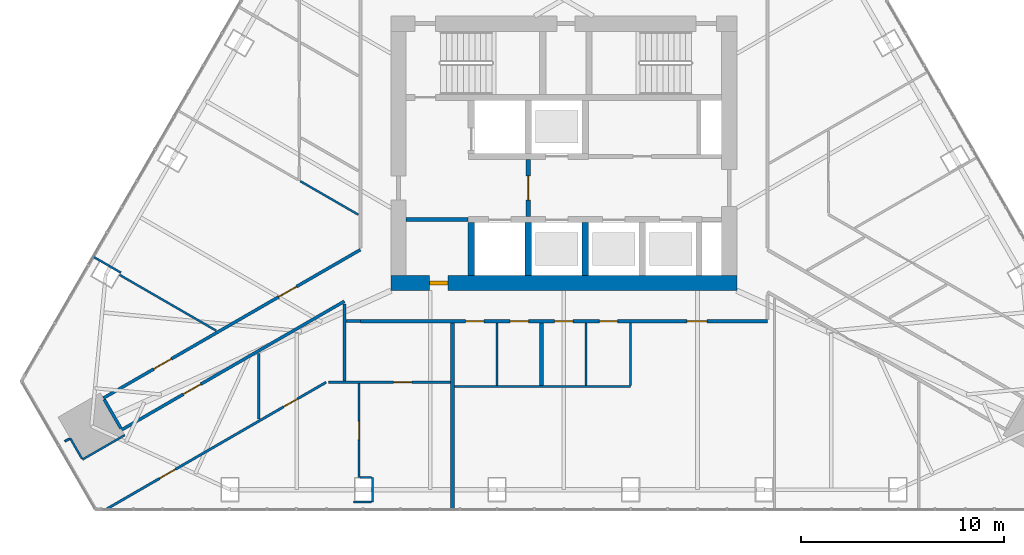
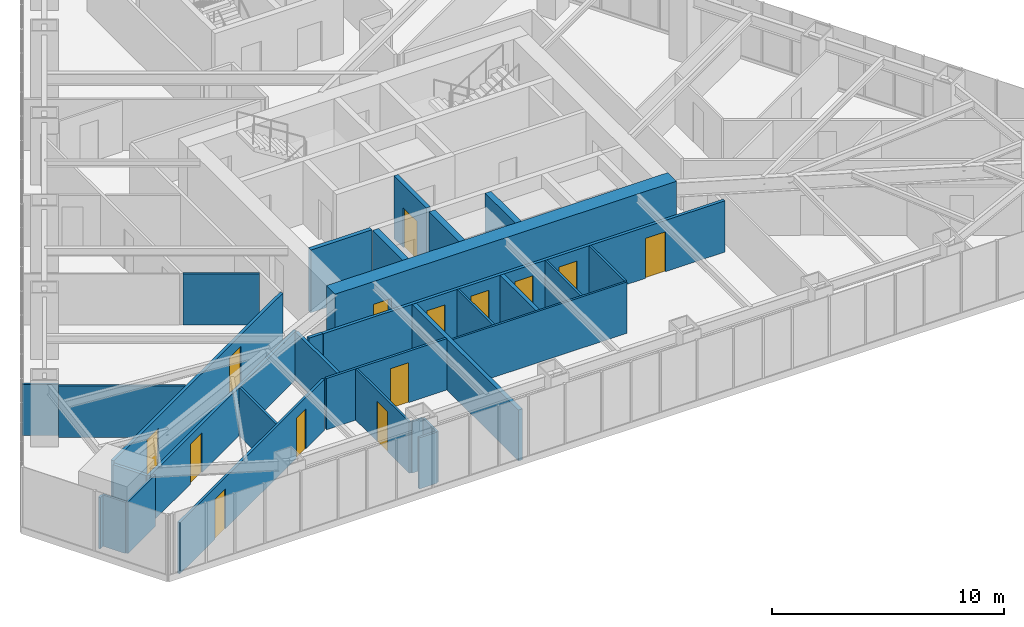
# One storey, part 16 of 21: 31 walls, 14 doors, 14 openings.
"""IFC4 building model written with IfcOpenShell, lengths in metres."""

from ifc_helpers import new_model, si_unit, direction, frame, frame_2d, origin, place, context, subcontext, project, spatial, rectangle, extrude, material, layer, layer_set, type_object, element, fill, save


model = new_model("IFC4")

# Units and contexts
model_context = context("Model", 3, precision=1e-05, world=origin(), true_north=direction((0.0, 1.0)))
body_context = subcontext(model_context, "Body", "Model", "MODEL_VIEW")
ifc_project = project(units=[si_unit("LENGTHUNIT", "METRE"), si_unit("AREAUNIT", "SQUARE_METRE"), si_unit("VOLUMEUNIT", "CUBIC_METRE"), si_unit("PLANEANGLEUNIT", "RADIAN"), si_unit("MASSUNIT", "GRAM", prefix="KILO")], contexts=[model_context])

# Site, building, storey
site_placement = place(None, origin())
site = spatial("IfcSite", under=ifc_project, at=site_placement, CompositionType="ELEMENT")
building_placement = place(site_placement, origin())
building = spatial("IfcBuilding", under=site, at=building_placement, Name="Firuza Gate Tower and Library", CompositionType="ELEMENT")
storey_placement = place(building_placement, frame((0.0, 0.0, 274.10009765625)))
storey = spatial("IfcBuildingStorey", under=building, at=storey_placement, Name="L65", CompositionType="ELEMENT", Elevation=274.10009765625)

# Wall
ifc_material_1 = material(Name="Plasterboard on steel studs", Category="steel")
ifc_layer_1 = layer(ifc_material_1, 0.199951171875)
ifc_layer_set_1 = layer_set([ifc_layer_1], Name="Core partition 200 EI 60")
wall_type_1 = type_object("IfcWallType", Name="Core partition 200 EI 60", PredefinedType="PARTITIONING", material=ifc_layer_set_1)
wall_1_placement = place(storey_placement, frame((67.25, 71.75, 0.0), z_axis=(0.0, 0.0, 1.0), x_axis=(1.0, 0.0, 0.0)))
element("IfcWall", 1, at=wall_1_placement, inside=storey, type_object=wall_type_1, Name="Core partition L65 1", PredefinedType="PARTITIONING", context=body_context, shape_type="SweptSolid", body=[
    extrude(rectangle(XDim=3.050048828125, YDim=0.199951171875, at=frame_2d((1.52490234375, 0.0))), origin(), (0.0, 0.0, 1.0), 3.2998046875),
])

# Wall, opening, door
wall_2_placement = place(storey_placement, frame((73.25, 71.89990234375, 0.0), z_axis=(0.0, 0.0, 1.0), x_axis=(0.0, 1.0, 0.0)))
wall_2 = element("IfcWall", 2, at=wall_2_placement, inside=storey, type_object=wall_type_1, Name="Core partition L65 4", PredefinedType="PARTITIONING", context=body_context, shape_type="SweptSolid", body=[
    extrude(rectangle(XDim=2.800048828125, YDim=0.199951171875, at=frame_2d((1.39990234375, 0.0))), origin(), (0.0, 0.0, 1.0), 3.2998046875),
])
opening_1_placement = place(wall_2_placement, frame((0.800048828125, 0.0, 0.0)))
opening_1 = element("IfcOpeningElement", 3, at=opening_1_placement, cuts=wall_2, Name="Opening L65-K14", PredefinedType="OPENING", context=body_context, shape_type="SweptSolid", body=[
    extrude(rectangle(XDim=1.199951171875, YDim=2.10009765625, at=frame_2d((0.60009765625, 1.050048828125))), frame((0.0, 0.10986328125, 0.0), z_axis=(0.0, -1.0, 0.0), x_axis=(1.0, 0.0, 0.0)), (0.0, 0.0, 1.0), 0.219970703125),
])
ifc_material_2 = material(Name="Steel", Category="steel")
door_type_1 = type_object("IfcDoorType", Name="Fire door 1200x2100 FD90S", OperationType="NOTDEFINED", PredefinedType="DOOR", material=ifc_material_2)
door_1_placement = place(opening_1_placement, origin())
door_1 = element("IfcDoor", 4, at=door_1_placement, inside=storey, type_object=door_type_1, Name="Door L65-K14", OperationType="SINGLE_SWING_LEFT", OverallHeight=2.10009765625, OverallWidth=1.199951171875, PredefinedType="DOOR", context=body_context, shape_type="SweptSolid", body=[
    extrude(rectangle(XDim=1.199951171875, YDim=2.10009765625, at=frame_2d((0.60009765625, 1.050048828125))), frame((0.0, 0.02490234375, 0.0), z_axis=(0.0, -1.0, 0.0), x_axis=(1.0, 0.0, 0.0)), (0.0, 0.0, 1.0), 0.050048828125),
])
fill(opening_1, door_1)

# Walls
ifc_material_3 = material(Name="Concrete C60/75", Category="concrete")
ifc_layer_2 = layer(ifc_material_3, 0.300048828125)
ifc_layer_set_2 = layer_set([ifc_layer_2], Name="Core wall 300 C60/75")
wall_type_2 = type_object("IfcWallType", Name="Core wall 300 C60/75", PredefinedType="SHEAR", material=ifc_layer_set_2)
for number, where, z_axis, x_axis, name in (
    (5, (70.449951171875, 69.0, 0.0), (0.0, 0.0, 1.0), (0.0, 1.0, 0.0), "Core wall L65 7"),
    (6, (73.25, 69.0, 0.0), (0.0, 0.0, 1.0), (0.0, 1.0, 0.0), "Core wall L65 9"),
    (7, (76.050048828125, 69.0, 0.0), (0.0, 0.0, 1.0), (0.0, 1.0, 0.0), "Core wall L65 11"),
):
    element("IfcWall", number, at=place(storey_placement, frame(where, z_axis=z_axis, x_axis=x_axis)), inside=storey, type_object=wall_type_2, Name=name, PredefinedType="SHEAR", context=body_context, shape_type="SweptSolid", body=[
        extrude(rectangle(XDim=2.60009765625, YDim=0.300048828125, at=frame_2d((1.300048828125, 0.0))), origin(), (0.0, 0.0, 1.0), 3.2998046875),
    ])

# Wall, opening, door
ifc_material_4 = material(Name="Concrete C60/75", Category="concrete")
ifc_layer_3 = layer(ifc_material_4, 0.75)
ifc_layer_set_3 = layer_set([ifc_layer_3], Name="Core wall 750 C60/75")
wall_type_3 = type_object("IfcWallType", Name="Core wall 750 C60/75", PredefinedType="SHEAR", material=ifc_layer_set_3)
wall_3_placement = place(storey_placement, frame((66.5, 68.625, 0.0), z_axis=(0.0, 0.0, 1.0), x_axis=(1.0, 0.0, 0.0)))
wall_3 = element("IfcWall", 8, at=wall_3_placement, inside=storey, type_object=wall_type_3, Name="Core wall L65 1", PredefinedType="SHEAR", context=body_context, shape_type="SweptSolid", body=[
    extrude(rectangle(XDim=17.0, YDim=0.75, at=frame_2d((8.5, 0.0))), origin(), (0.0, 0.0, 1.0), 3.2998046875),
])
opening_2_placement = place(wall_3_placement, frame((1.89990234375, 0.0, 0.0)))
opening_2 = element("IfcOpeningElement", 9, at=opening_2_placement, cuts=wall_3, Name="Opening L65-K17", PredefinedType="OPENING", context=body_context, shape_type="SweptSolid", body=[
    extrude(rectangle(XDim=0.89990234375, YDim=2.10009765625, at=frame_2d((0.449951171875, 1.050048828125))), frame((0.0, 0.385009765625, 0.0), z_axis=(0.0, -1.0, 0.0), x_axis=(1.0, 0.0, 0.0)), (0.0, 0.0, 1.0), 0.77001953125),
])
ifc_material_5 = material(Name="Steel", Category="steel")
door_type_2 = type_object("IfcDoorType", Name="Fire door 900x2100 FD30S", OperationType="NOTDEFINED", PredefinedType="DOOR", material=ifc_material_5)
door_2_placement = place(opening_2_placement, origin())
door_2 = element("IfcDoor", 10, at=door_2_placement, inside=storey, type_object=door_type_2, Name="Door L65-K17", OperationType="SINGLE_SWING_RIGHT", OverallHeight=2.10009765625, OverallWidth=0.89990234375, PredefinedType="DOOR", context=body_context, shape_type="SweptSolid", body=[
    extrude(rectangle(XDim=0.89990234375, YDim=2.10009765625, at=frame_2d((0.449951171875, 1.050048828125))), frame((0.0, 0.094970703125, 0.0), z_axis=(0.0, -1.0, 0.0), x_axis=(1.0, 0.0, 0.0)), (0.0, 0.0, 1.0), 0.18994140625),
])
fill(opening_2, door_2)

# Wall, openings, doors
ifc_material_6 = material(Name="Gypsum board partition")
ifc_layer_4 = layer(ifc_material_6, 0.14990234375)
ifc_layer_set_4 = layer_set([ifc_layer_4], Name="Corridor wall 150 double board on steel studs")
wall_type_4 = type_object("IfcWallType", Name="Corridor wall 150 double board on steel studs", PredefinedType="PARTITIONING", material=ifc_layer_set_4)
wall_4_placement = place(storey_placement, frame((84.99951171875, 66.75, 0.0), z_axis=(0.0, 0.0, 1.0), x_axis=(-1.0, 0.0, 0.0)))
wall_4 = element("IfcWall", 11, at=wall_4_placement, inside=storey, type_object=wall_type_4, Name="f:L65:w004", PredefinedType="PARTITIONING", context=body_context, shape_type="SweptSolid", body=[
    extrude(rectangle(XDim=19.9990234375, YDim=0.14990234375, at=frame_2d((9.99951171875, 0.0))), origin(), (0.0, 0.0, 1.0), 2.699951171875),
])
opening_3_placement = place(wall_4_placement, frame((2.9599609375, 0.0, 0.0)))
opening_3 = element("IfcOpeningElement", 12, at=opening_3_placement, cuts=wall_4, Name="Opening L65-02", PredefinedType="OPENING", context=body_context, shape_type="SweptSolid", body=[
    extrude(rectangle(XDim=1.0, YDim=2.10009765625, at=frame_2d((0.5, 1.050048828125))), frame((0.0, 0.0849609375, 0.0), z_axis=(0.0, -1.0, 0.0), x_axis=(1.0, 0.0, 0.0)), (0.0, 0.0, 1.0), 0.169921875),
])
opening_4_placement = place(wall_4_placement, frame((7.361083984375, 0.0, 0.0)))
opening_4 = element("IfcOpeningElement", 13, at=opening_4_placement, cuts=wall_4, Name="Opening L65-03", PredefinedType="OPENING", context=body_context, shape_type="SweptSolid", body=[
    extrude(rectangle(XDim=0.89990234375, YDim=2.10009765625, at=frame_2d((0.449951171875, 1.050048828125))), frame((0.0, 0.0849609375, 0.0), z_axis=(0.0, -1.0, 0.0), x_axis=(1.0, 0.0, 0.0)), (0.0, 0.0, 1.0), 0.169921875),
])
opening_5_placement = place(wall_4_placement, frame((9.549560546875, 0.0, 0.0)))
opening_5 = element("IfcOpeningElement", 14, at=opening_5_placement, cuts=wall_4, Name="Opening L65-04", PredefinedType="OPENING", context=body_context, shape_type="SweptSolid", body=[
    extrude(rectangle(XDim=0.89990234375, YDim=2.10009765625, at=frame_2d((0.449951171875, 1.050048828125))), frame((0.0, 0.0849609375, 0.0), z_axis=(0.0, -1.0, 0.0), x_axis=(1.0, 0.0, 0.0)), (0.0, 0.0, 1.0), 0.169921875),
])
opening_6_placement = place(wall_4_placement, frame((11.738037109375, 0.0, 0.0)))
opening_6 = element("IfcOpeningElement", 15, at=opening_6_placement, cuts=wall_4, Name="Opening L65-05", PredefinedType="OPENING", context=body_context, shape_type="SweptSolid", body=[
    extrude(rectangle(XDim=0.89990234375, YDim=2.10009765625, at=frame_2d((0.449951171875, 1.050048828125))), frame((0.0, 0.0849609375, 0.0), z_axis=(0.0, -1.0, 0.0), x_axis=(1.0, 0.0, 0.0)), (0.0, 0.0, 1.0), 0.169921875),
])
opening_7_placement = place(wall_4_placement, frame((13.92626953125, 0.0, 0.0)))
opening_7 = element("IfcOpeningElement", 16, at=opening_7_placement, cuts=wall_4, Name="Opening L65-06", PredefinedType="OPENING", context=body_context, shape_type="SweptSolid", body=[
    extrude(rectangle(XDim=0.89990234375, YDim=2.10009765625, at=frame_2d((0.449951171875, 1.050048828125))), frame((0.0, 0.0849609375, 0.0), z_axis=(0.0, -1.0, 0.0), x_axis=(1.0, 0.0, 0.0)), (0.0, 0.0, 1.0), 0.169921875),
])
ifc_material_7 = material(Name="Steel door and timber leaf", Category="steel")
door_type_3 = type_object("IfcDoorType", Name="Fire door 1000 x 2100 steel frame, timber leaf", OperationType="NOTDEFINED", PredefinedType="DOOR", material=ifc_material_7)
door_3_placement = place(opening_3_placement, origin())
door_3 = element("IfcDoor", 17, at=door_3_placement, inside=storey, type_object=door_type_3, Name="f:L65:d002", OperationType="SINGLE_SWING_LEFT", OverallHeight=2.10009765625, OverallWidth=1.0, PredefinedType="DOOR", context=body_context, shape_type="SweptSolid", body=[
    extrude(rectangle(XDim=1.0, YDim=2.10009765625, at=frame_2d((0.5, 1.050048828125))), frame((0.0, 0.02490234375, 0.0), z_axis=(0.0, -1.0, 0.0), x_axis=(1.0, 0.0, 0.0)), (0.0, 0.0, 1.0), 0.050048828125),
])
fill(opening_3, door_3)
ifc_material_8 = material(Name="Steel door and timber leaf", Category="steel")
door_type_4 = type_object("IfcDoorType", Name="Fire door 900 x 2100 steel frame, timber leaf", OperationType="NOTDEFINED", PredefinedType="DOOR", material=ifc_material_8)
door_4_placement = place(opening_4_placement, origin())
door_4 = element("IfcDoor", 18, at=door_4_placement, inside=storey, type_object=door_type_4, Name="f:L65:d003", OperationType="SINGLE_SWING_RIGHT", OverallHeight=2.10009765625, OverallWidth=0.89990234375, PredefinedType="DOOR", context=body_context, shape_type="SweptSolid", body=[
    extrude(rectangle(XDim=0.89990234375, YDim=2.10009765625, at=frame_2d((0.449951171875, 1.050048828125))), frame((0.0, 0.02490234375, 0.0), z_axis=(0.0, -1.0, 0.0), x_axis=(1.0, 0.0, 0.0)), (0.0, 0.0, 1.0), 0.050048828125),
])
fill(opening_4, door_4)
door_5_placement = place(opening_5_placement, origin())
door_5 = element("IfcDoor", 19, at=door_5_placement, inside=storey, type_object=door_type_4, Name="f:L65:d004", OperationType="SINGLE_SWING_LEFT", OverallHeight=2.10009765625, OverallWidth=0.89990234375, PredefinedType="DOOR", context=body_context, shape_type="SweptSolid", body=[
    extrude(rectangle(XDim=0.89990234375, YDim=2.10009765625, at=frame_2d((0.449951171875, 1.050048828125))), frame((0.0, 0.02490234375, 0.0), z_axis=(0.0, -1.0, 0.0), x_axis=(1.0, 0.0, 0.0)), (0.0, 0.0, 1.0), 0.050048828125),
])
fill(opening_5, door_5)
door_6_placement = place(opening_6_placement, origin())
door_6 = element("IfcDoor", 20, at=door_6_placement, inside=storey, type_object=door_type_4, Name="f:L65:d005", OperationType="SINGLE_SWING_RIGHT", OverallHeight=2.10009765625, OverallWidth=0.89990234375, PredefinedType="DOOR", context=body_context, shape_type="SweptSolid", body=[
    extrude(rectangle(XDim=0.89990234375, YDim=2.10009765625, at=frame_2d((0.449951171875, 1.050048828125))), frame((0.0, 0.02490234375, 0.0), z_axis=(0.0, -1.0, 0.0), x_axis=(1.0, 0.0, 0.0)), (0.0, 0.0, 1.0), 0.050048828125),
])
fill(opening_6, door_6)
door_7_placement = place(opening_7_placement, origin())
door_7 = element("IfcDoor", 21, at=door_7_placement, inside=storey, type_object=door_type_4, Name="f:L65:d006", OperationType="SINGLE_SWING_LEFT", OverallHeight=2.10009765625, OverallWidth=0.89990234375, PredefinedType="DOOR", context=body_context, shape_type="SweptSolid", body=[
    extrude(rectangle(XDim=0.89990234375, YDim=2.10009765625, at=frame_2d((0.449951171875, 1.050048828125))), frame((0.0, 0.02490234375, 0.0), z_axis=(0.0, -1.0, 0.0), x_axis=(1.0, 0.0, 0.0)), (0.0, 0.0, 1.0), 0.050048828125),
])
fill(opening_7, door_7)

# Wall
wall_5_placement = place(storey_placement, frame((64.294921875, 66.76904296875, 0.0), z_axis=(0.0, 0.0, 1.0), x_axis=(1.0, 0.0, 0.0)))
element("IfcWall", 22, at=wall_5_placement, inside=storey, type_object=wall_type_4, Name="f:L65:w005", PredefinedType="PARTITIONING", context=body_context, shape_type="SweptSolid", body=[
    extrude(rectangle(XDim=0.705078125, YDim=0.14990234375, at=frame_2d((0.3525390625, 0.0))), origin(), (0.0, 0.0, 1.0), 2.699951171875),
])

# Wall, opening, door
wall_6_placement = place(storey_placement, frame((64.209716796875, 67.731201171875, 0.0), z_axis=(0.0, 0.0, 1.0), x_axis=(-0.866027247007, -0.499996807431, 0.0)))
wall_6 = element("IfcWall", 23, at=wall_6_placement, inside=storey, type_object=wall_type_4, Name="f:L65:w021", PredefinedType="PARTITIONING", context=body_context, shape_type="SweptSolid", body=[
    extrude(rectangle(XDim=12.6328125, YDim=0.14990234375, at=frame_2d((6.31640625, 0.0))), origin(), (0.0, 0.0, 1.0), 2.546875),
])
opening_8_placement = place(wall_6_placement, frame((8.142578125, 0.0, 0.0)))
opening_8 = element("IfcOpeningElement", 24, at=opening_8_placement, cuts=wall_6, Name="Opening L65-15", PredefinedType="OPENING", context=body_context, shape_type="SweptSolid", body=[
    extrude(rectangle(XDim=1.0, YDim=2.10009765625, at=frame_2d((0.5, 1.050048828125))), frame((0.0, 0.0849609375, 0.0), z_axis=(0.0, -1.0, 0.0), x_axis=(1.0, 0.0, 0.0)), (0.0, 0.0, 1.0), 0.169921875),
])
door_8_placement = place(opening_8_placement, origin())
door_8 = element("IfcDoor", 25, at=door_8_placement, inside=storey, type_object=door_type_3, Name="f:L65:d015", OperationType="SINGLE_SWING_LEFT", OverallHeight=2.10009765625, OverallWidth=1.0, PredefinedType="DOOR", context=body_context, shape_type="SweptSolid", body=[
    extrude(rectangle(XDim=1.0, YDim=2.10009765625, at=frame_2d((0.5, 1.050048828125))), frame((0.0, 0.02490234375, 0.0), z_axis=(0.0, -1.0, 0.0), x_axis=(1.0, 0.0, 0.0)), (0.0, 0.0, 1.0), 0.050048828125),
])
fill(opening_8, door_8)

# Wall, openings, doors
wall_7_placement = place(storey_placement, frame((52.369873046875, 62.973876953125, 0.0), z_axis=(0.0, 0.0, 1.0), x_axis=(0.866025849409, 0.499999228155, 0.0)))
wall_7 = element("IfcWall", 26, at=wall_7_placement, inside=storey, type_object=wall_type_4, Name="f:L65:w023", PredefinedType="PARTITIONING", context=body_context, shape_type="SweptSolid", body=[
    extrude(rectangle(XDim=14.583984375, YDim=0.14990234375, at=frame_2d((7.2919921875, 0.0))), origin(), (0.0, 0.0, 1.0), 2.699951171875),
])
opening_9_placement = place(wall_7_placement, frame((2.8583984375, 0.0, 0.0)))
opening_9 = element("IfcOpeningElement", 27, at=opening_9_placement, cuts=wall_7, Name="Opening L65-16", PredefinedType="OPENING", context=body_context, shape_type="SweptSolid", body=[
    extrude(rectangle(XDim=1.0, YDim=2.10009765625, at=frame_2d((0.5, 1.050048828125))), frame((0.0, 0.0849609375, 0.0), z_axis=(0.0, -1.0, 0.0), x_axis=(1.0, 0.0, 0.0)), (0.0, 0.0, 1.0), 0.169921875),
])
opening_10_placement = place(wall_7_placement, frame((9.947021484375, 0.0, 0.0)))
opening_10 = element("IfcOpeningElement", 28, at=opening_10_placement, cuts=wall_7, Name="Opening L65-17", PredefinedType="OPENING", context=body_context, shape_type="SweptSolid", body=[
    extrude(rectangle(XDim=1.0, YDim=2.10009765625, at=frame_2d((0.5, 1.050048828125))), frame((0.0, 0.0849609375, 0.0), z_axis=(0.0, -1.0, 0.0), x_axis=(1.0, 0.0, 0.0)), (0.0, 0.0, 1.0), 0.169921875),
])
door_9_placement = place(opening_9_placement, origin())
door_9 = element("IfcDoor", 29, at=door_9_placement, inside=storey, type_object=door_type_3, Name="f:L65:d016", OperationType="SINGLE_SWING_LEFT", OverallHeight=2.10009765625, OverallWidth=1.0, PredefinedType="DOOR", context=body_context, shape_type="SweptSolid", body=[
    extrude(rectangle(XDim=1.0, YDim=2.10009765625, at=frame_2d((0.5, 1.050048828125))), frame((0.0, 0.02490234375, 0.0), z_axis=(0.0, -1.0, 0.0), x_axis=(1.0, 0.0, 0.0)), (0.0, 0.0, 1.0), 0.050048828125),
])
fill(opening_9, door_9)
door_10_placement = place(opening_10_placement, origin())
door_10 = element("IfcDoor", 30, at=door_10_placement, inside=storey, type_object=door_type_3, Name="f:L65:d017", OperationType="SINGLE_SWING_RIGHT", OverallHeight=2.10009765625, OverallWidth=1.0, PredefinedType="DOOR", context=body_context, shape_type="SweptSolid", body=[
    extrude(rectangle(XDim=1.0, YDim=2.10009765625, at=frame_2d((0.5, 1.050048828125))), frame((0.0, 0.02490234375, 0.0), z_axis=(0.0, -1.0, 0.0), x_axis=(1.0, 0.0, 0.0)), (0.0, 0.0, 1.0), 0.050048828125),
])
fill(opening_10, door_10)

# Walls
wall_8_placement = place(storey_placement, frame((64.2099609375, 63.81005859375, 0.0), z_axis=(0.0, 0.0, 1.0), x_axis=(0.0, 1.0, 0.0)))
element("IfcWall", 31, at=wall_8_placement, inside=storey, type_object=wall_type_4, Name="f:L65:w049", PredefinedType="PARTITIONING", context=body_context, shape_type="SweptSolid", body=[
    extrude(rectangle(XDim=3.784423828125, YDim=0.14990234375, at=frame_2d((1.89208984375, 0.0))), origin(), (0.0, 0.0, 1.0), 2.546875),
])
wall_9_placement = place(storey_placement, frame((53.229248046875, 61.484375, 0.0), z_axis=(0.0, 0.0, 1.0), x_axis=(-0.500052415518, 0.865995139556, 0.0)))
element("IfcWall", 32, at=wall_9_placement, inside=storey, type_object=wall_type_4, Name="f:L65:w052", PredefinedType="PARTITIONING", context=body_context, shape_type="SweptSolid", body=[
    extrude(rectangle(XDim=1.643798828125, YDim=0.14990234375, at=frame_2d((0.82177734375, 0.0))), origin(), (0.0, 0.0, 1.0), 2.546875),
])
ifc_material_9 = material(Name="Gypsum board partition")
ifc_layer_5 = layer(ifc_material_9, 0.199951171875)
ifc_layer_set_5 = layer_set([ifc_layer_5], Name="Demising wall 200 acoustic double stud")
wall_type_5 = type_object("IfcWallType", Name="Demising wall 200 acoustic double stud", PredefinedType="PARTITIONING", material=ifc_layer_set_5)
wall_10_placement = place(storey_placement, frame((73.906005859375, 63.60009765625, 0.0), z_axis=(0.0, 0.0, 1.0), x_axis=(0.0, 1.0, 0.0)))
element("IfcWall", 33, at=wall_10_placement, inside=storey, type_object=wall_type_5, Name="f:L65:w041", PredefinedType="PARTITIONING", context=body_context, shape_type="SweptSolid", body=[
    extrude(rectangle(XDim=3.074951171875, YDim=0.199951171875, at=frame_2d((1.53759765625, 0.0))), origin(), (0.0, 0.0, 1.0), 2.699951171875),
])
wall_11_placement = place(storey_placement, frame((69.529052734375, 57.516357421875, 0.0), z_axis=(0.0, 0.0, 1.0), x_axis=(0.0, 1.0, 0.0)))
element("IfcWall", 34, at=wall_11_placement, inside=storey, type_object=wall_type_5, Name="f:L65:w045", PredefinedType="PARTITIONING", context=body_context, shape_type="SweptSolid", body=[
    extrude(rectangle(XDim=9.15869140625, YDim=0.199951171875, at=frame_2d((4.579345703125, 0.0))), origin(), (0.0, 0.0, 1.0), 2.68798828125),
])
ifc_material_10 = material(Name="Gypsum board partition")
ifc_layer_6 = layer(ifc_material_10, 0.10009765625)
ifc_layer_set_6 = layer_set([ifc_layer_6], Name="Partition 100 gypsum board on steel studs")
wall_type_6 = type_object("IfcWallType", Name="Partition 100 gypsum board on steel studs", PredefinedType="PARTITIONING", material=ifc_layer_set_6)
wall_12_placement = place(storey_placement, frame((64.670166015625, 57.8759765625, 0.0), z_axis=(0.0, 0.0, 1.0), x_axis=(1.0, 0.0, 0.0)))
element("IfcWall", 35, at=wall_12_placement, inside=storey, type_object=wall_type_6, Name="f:L65:w000", PredefinedType="PARTITIONING", context=body_context, shape_type="SweptSolid", body=[
    extrude(rectangle(XDim=0.874755859375, YDim=0.10009765625, at=frame_2d((0.4375, 0.0))), origin(), (0.0, 0.0, 1.0), 2.699951171875),
])
wall_13_placement = place(storey_placement, frame((64.990234375, 59.075927734375, 0.0), z_axis=(0.0, 0.0, 1.0), x_axis=(1.0, 0.0, 0.0)))
element("IfcWall", 36, at=wall_13_placement, inside=storey, type_object=wall_type_6, Name="f:L65:w001", PredefinedType="PARTITIONING", context=body_context, shape_type="SweptSolid", body=[
    extrude(rectangle(XDim=0.561767578125, YDim=0.10009765625, at=frame_2d((0.28076171875, 0.0))), origin(), (0.0, 0.0, 1.0), 2.699951171875),
])
wall_14_placement = place(storey_placement, frame((69.62939453125, 63.550048828125, 0.0), z_axis=(0.0, 0.0, 1.0), x_axis=(1.0, 0.0, 0.0)))
element("IfcWall", 37, at=wall_14_placement, inside=storey, type_object=wall_type_6, Name="f:L65:w002", PredefinedType="PARTITIONING", context=body_context, shape_type="SweptSolid", body=[
    extrude(rectangle(XDim=8.65283203125, YDim=0.10009765625, at=frame_2d((4.326416015625, 0.0))), origin(), (0.0, 0.0, 1.0), 2.699951171875),
])
wall_15_placement = place(storey_placement, frame((51.34130859375, 59.955078125, 0.0), z_axis=(0.0, 0.0, 1.0), x_axis=(0.866036455013, 0.499980858223, 0.0)))
element("IfcWall", 38, at=wall_15_placement, inside=storey, type_object=wall_type_6, Name="f:L65:w020", PredefinedType="PARTITIONING", context=body_context, shape_type="SweptSolid", body=[
    extrude(rectangle(XDim=2.39892578125, YDim=0.10009765625, at=frame_2d((1.199462890625, 0.0))), origin(), (0.0, 0.0, 1.0), 2.699951171875),
])
wall_16_placement = place(storey_placement, frame((50.481201171875, 60.84423828125, 0.0), z_axis=(0.0, 0.0, 1.0), x_axis=(0.866429964967, 0.499298623879, 0.0)))
element("IfcWall", 39, at=wall_16_placement, inside=storey, type_object=wall_type_6, Name="f:L65:w022", PredefinedType="PARTITIONING", context=body_context, shape_type="SweptSolid", body=[
    extrude(rectangle(XDim=0.249267578125, YDim=0.10009765625, at=frame_2d((0.12451171875, 0.0))), origin(), (0.0, 0.0, 1.0), 2.699951171875),
])
wall_17_placement = place(storey_placement, frame((78.282958984375, 63.6005859375, 0.0), z_axis=(0.0, 0.0, 1.0), x_axis=(0.0, 1.0, 0.0)))
element("IfcWall", 40, at=wall_17_placement, inside=storey, type_object=wall_type_6, Name="f:L65:w034", PredefinedType="PARTITIONING", context=body_context, shape_type="SweptSolid", body=[
    extrude(rectangle(XDim=3.074462890625, YDim=0.10009765625, at=frame_2d((1.537109375, 0.0))), origin(), (0.0, 0.0, 1.0), 2.699951171875),
])
for number, where, z_axis, x_axis, name in (
    (41, (76.093994140625, 63.60009765625, 0.0), (0.0, 0.0, 1.0), (0.0, 1.0, 0.0), "f:L65:w037"),
    (42, (71.717041015625, 63.60009765625, 0.0), (0.0, 0.0, 1.0), (0.0, 1.0, 0.0), "f:L65:w043"),
):
    element("IfcWall", number, at=place(storey_placement, frame(where, z_axis=z_axis, x_axis=x_axis)), inside=storey, type_object=wall_type_6, Name=name, PredefinedType="PARTITIONING", context=body_context, shape_type="SweptSolid", body=[
        extrude(rectangle(XDim=3.074951171875, YDim=0.10009765625, at=frame_2d((1.53759765625, 0.0))), origin(), (0.0, 0.0, 1.0), 2.699951171875),
    ])
wall_18_placement = place(storey_placement, frame((65.60205078125, 57.876220703125, 0.0), z_axis=(0.0, 0.0, 1.0), x_axis=(0.0, 1.0, 0.0)))
element("IfcWall", 43, at=wall_18_placement, inside=storey, type_object=wall_type_6, Name="f:L65:w046", PredefinedType="PARTITIONING", context=body_context, shape_type="SweptSolid", body=[
    extrude(rectangle(XDim=1.2001953125, YDim=0.10009765625, at=frame_2d((0.60009765625, 0.0))), origin(), (0.0, 0.0, 1.0), 2.68798828125),
])

# Wall, opening, door
wall_19_placement = place(storey_placement, frame((64.93994140625, 63.68994140625, 0.0), z_axis=(0.0, 0.0, 1.0), x_axis=(0.0, -1.0, 0.0)))
wall_19 = element("IfcWall", 44, at=wall_19_placement, inside=storey, type_object=wall_type_6, Name="f:L65:w048", PredefinedType="PARTITIONING", context=body_context, shape_type="SweptSolid", body=[
    extrude(rectangle(XDim=4.613525390625, YDim=0.10009765625, at=frame_2d((2.306640625, 0.0))), origin(), (0.0, 0.0, 1.0), 2.699951171875),
])
opening_11_placement = place(wall_19_placement, frame((1.85693359375, 0.0, 0.0)))
opening_11 = element("IfcOpeningElement", 45, at=opening_11_placement, cuts=wall_19, Name="Opening L65-19", PredefinedType="OPENING", context=body_context, shape_type="SweptSolid", body=[
    extrude(rectangle(XDim=0.89990234375, YDim=2.10009765625, at=frame_2d((0.449951171875, 1.050048828125))), frame((0.0, 0.06005859375, 0.0), z_axis=(0.0, -1.0, 0.0), x_axis=(1.0, 0.0, 0.0)), (0.0, 0.0, 1.0), 0.1201171875),
])
ifc_material_11 = material(Name="Timber door", Category="wood")
door_type_5 = type_object("IfcDoorType", Name="Door 900 x 2100 timber leaf", OperationType="NOTDEFINED", PredefinedType="DOOR", material=ifc_material_11)
door_11_placement = place(opening_11_placement, origin())
door_11 = element("IfcDoor", 46, at=door_11_placement, inside=storey, type_object=door_type_5, Name="f:L65:d019", OperationType="SINGLE_SWING_RIGHT", OverallHeight=2.10009765625, OverallWidth=0.89990234375, PredefinedType="DOOR", context=body_context, shape_type="SweptSolid", body=[
    extrude(rectangle(XDim=0.89990234375, YDim=2.10009765625, at=frame_2d((0.449951171875, 1.050048828125))), frame((0.0, 0.02490234375, 0.0), z_axis=(0.0, -1.0, 0.0), x_axis=(1.0, 0.0, 0.0)), (0.0, 0.0, 1.0), 0.050048828125),
])
fill(opening_11, door_11)

# Walls
wall_20_placement = place(storey_placement, frame((51.315673828125, 59.99853515625, 0.0), z_axis=(0.0, 0.0, 1.0), x_axis=(-0.499955427682, 0.866051136095, 0.0)))
element("IfcWall", 47, at=wall_20_placement, inside=storey, type_object=wall_type_6, Name="f:L65:w053", PredefinedType="PARTITIONING", context=body_context, shape_type="SweptSolid", body=[
    extrude(rectangle(XDim=1.14892578125, YDim=0.10009765625, at=frame_2d((0.574462890625, 0.0))), origin(), (0.0, 0.0, 1.0), 2.699951171875),
])
wall_21_placement = place(storey_placement, frame((64.89892578125, 71.987060546875, 0.0), z_axis=(0.0, 0.0, 1.0), x_axis=(-0.866032610133, 0.499987518031, 0.0)))
element("IfcWall", 48, at=wall_21_placement, inside=storey, type_object=wall_type_6, Name="f:L65:w062", PredefinedType="PARTITIONING", context=body_context, shape_type="SweptSolid", body=[
    extrude(rectangle(XDim=3.29541015625, YDim=0.10009765625, at=frame_2d((1.647705078125, 0.0))), origin(), (0.0, 0.0, 1.0), 2.699951171875),
])
wall_22_placement = place(storey_placement, frame((53.227783203125, 69.1376953125, 0.0), z_axis=(0.0, 0.0, 1.0), x_axis=(-0.866018739521, 0.500011542666, 0.0)))
element("IfcWall", 49, at=wall_22_placement, inside=storey, type_object=wall_type_6, Name="f:L65:w063", PredefinedType="PARTITIONING", context=body_context, shape_type="SweptSolid", body=[
    extrude(rectangle(XDim=1.5595703125, YDim=0.10009765625, at=frame_2d((0.77978515625, 0.0))), origin(), (0.0, 0.0, 1.0), 2.699951171875),
])
wall_23_placement = place(storey_placement, frame((57.909912109375, 66.2890625, 0.0), z_axis=(0.0, 0.0, 1.0), x_axis=(-0.866026762963, 0.499997645826, 0.0)))
element("IfcWall", 50, at=wall_23_placement, inside=storey, type_object=wall_type_6, Name="f:L65:w064", PredefinedType="PARTITIONING", context=body_context, shape_type="SweptSolid", body=[
    extrude(rectangle(XDim=5.47802734375, YDim=0.10009765625, at=frame_2d((2.739013671875, 0.0))), origin(), (0.0, 0.0, 1.0), 2.699951171875),
])

# Wall, opening, door
ifc_material_12 = material(Name="Gypsum board partition")
ifc_layer_7 = layer(ifc_material_12, 0.1201171875)
ifc_layer_set_7 = layer_set([ifc_layer_7], Name="Wet-area partition 120 moisture-resistant board")
wall_type_7 = type_object("IfcWallType", Name="Wet-area partition 120 moisture-resistant board", PredefinedType="PARTITIONING", material=ifc_layer_set_7)
wall_24_placement = place(storey_placement, frame((63.434326171875, 63.75, 0.0), z_axis=(0.0, 0.0, 1.0), x_axis=(1.0, 0.0, 0.0)))
wall_24 = element("IfcWall", 51, at=wall_24_placement, inside=storey, type_object=wall_type_7, Name="f:L65:w003", PredefinedType="PARTITIONING", context=body_context, shape_type="SweptSolid", body=[
    extrude(rectangle(XDim=5.99462890625, YDim=0.1201171875, at=frame_2d((2.997314453125, 0.0))), origin(), (0.0, 0.0, 1.0), 2.699951171875),
])
opening_12_placement = place(wall_24_placement, frame((3.19873046875, 0.0, 0.0)))
opening_12 = element("IfcOpeningElement", 52, at=opening_12_placement, cuts=wall_24, Name="Opening L65-01", PredefinedType="OPENING", context=body_context, shape_type="SweptSolid", body=[
    extrude(rectangle(XDim=0.89990234375, YDim=2.10009765625, at=frame_2d((0.449951171875, 1.050048828125))), frame((0.0, 0.070068359375, 0.0), z_axis=(0.0, -1.0, 0.0), x_axis=(1.0, 0.0, 0.0)), (0.0, 0.0, 1.0), 0.14013671875),
])
door_12_placement = place(opening_12_placement, origin())
door_12 = element("IfcDoor", 53, at=door_12_placement, inside=storey, type_object=door_type_5, Name="f:L65:d001", OperationType="SINGLE_SWING_LEFT", OverallHeight=2.10009765625, OverallWidth=0.89990234375, PredefinedType="DOOR", context=body_context, shape_type="SweptSolid", body=[
    extrude(rectangle(XDim=0.89990234375, YDim=2.10009765625, at=frame_2d((0.449951171875, 1.050048828125))), frame((0.0, 0.02490234375, 0.0), z_axis=(0.0, -1.0, 0.0), x_axis=(1.0, 0.0, 0.0)), (0.0, 0.0, 1.0), 0.050048828125),
])
fill(opening_12, door_12)

# Wall, openings, doors
wall_25_placement = place(storey_placement, frame((52.517333984375, 57.516357421875, 0.0), z_axis=(0.0, 0.0, 1.0), x_axis=(0.866028080334, 0.499995364051, 0.0)))
wall_25 = element("IfcWall", 54, at=wall_25_placement, inside=storey, type_object=wall_type_7, Name="f:L65:w019", PredefinedType="PARTITIONING", context=body_context, shape_type="SweptSolid", body=[
    extrude(rectangle(XDim=12.46728515625, YDim=0.1201171875, at=frame_2d((6.233642578125, 0.0))), origin(), (0.0, 0.0, 1.0), 2.699951171875),
])
opening_13_placement = place(wall_25_placement, frame((3.019287109375, 0.0, 0.0)))
opening_13 = element("IfcOpeningElement", 55, at=opening_13_placement, cuts=wall_25, Name="Opening L65-13", PredefinedType="OPENING", context=body_context, shape_type="SweptSolid", body=[
    extrude(rectangle(XDim=0.89990234375, YDim=2.10009765625, at=frame_2d((0.449951171875, 1.050048828125))), frame((0.0, 0.070068359375, 0.0), z_axis=(0.0, -1.0, 0.0), x_axis=(1.0, 0.0, 0.0)), (0.0, 0.0, 1.0), 0.14013671875),
])
opening_14_placement = place(wall_25_placement, frame((10.056884765625, 0.0, 0.0)))
opening_14 = element("IfcOpeningElement", 56, at=opening_14_placement, cuts=wall_25, Name="Opening L65-14", PredefinedType="OPENING", context=body_context, shape_type="SweptSolid", body=[
    extrude(rectangle(XDim=0.800048828125, YDim=2.10009765625, at=frame_2d((0.39990234375, 1.050048828125))), frame((0.0, 0.070068359375, 0.0), z_axis=(0.0, -1.0, 0.0), x_axis=(1.0, 0.0, 0.0)), (0.0, 0.0, 1.0), 0.14013671875),
])
ifc_material_13 = material(Name="Timber door", Category="wood")
door_type_6 = type_object("IfcDoorType", Name="Door 800 x 2100 timber leaf", OperationType="NOTDEFINED", PredefinedType="DOOR", material=ifc_material_13)
door_13_placement = place(opening_14_placement, origin())
door_13 = element("IfcDoor", 57, at=door_13_placement, inside=storey, type_object=door_type_6, Name="f:L65:d014", OperationType="SINGLE_SWING_RIGHT", OverallHeight=2.10009765625, OverallWidth=0.800048828125, PredefinedType="DOOR", context=body_context, shape_type="SweptSolid", body=[
    extrude(rectangle(XDim=0.800048828125, YDim=2.10009765625, at=frame_2d((0.39990234375, 1.050048828125))), frame((0.0, 0.02490234375, 0.0), z_axis=(0.0, -1.0, 0.0), x_axis=(1.0, 0.0, 0.0)), (0.0, 0.0, 1.0), 0.050048828125),
])
fill(opening_14, door_13)
door_14_placement = place(opening_13_placement, origin())
door_14 = element("IfcDoor", 58, at=door_14_placement, inside=storey, type_object=door_type_5, Name="f:L65:d013", OperationType="SINGLE_SWING_LEFT", OverallHeight=2.10009765625, OverallWidth=0.89990234375, PredefinedType="DOOR", context=body_context, shape_type="SweptSolid", body=[
    extrude(rectangle(XDim=0.89990234375, YDim=2.10009765625, at=frame_2d((0.449951171875, 1.050048828125))), frame((0.0, 0.02490234375, 0.0), z_axis=(0.0, -1.0, 0.0), x_axis=(1.0, 0.0, 0.0)), (0.0, 0.0, 1.0), 0.050048828125),
])
fill(opening_13, door_14)

# Wall
wall_26_placement = place(storey_placement, frame((60.0048828125, 61.948486328125, 0.0), z_axis=(0.0, 0.0, 1.0), x_axis=(0.0, 1.0, 0.0)))
element("IfcWall", 59, at=wall_26_placement, inside=storey, type_object=wall_type_7, Name="f:L65:w051", PredefinedType="PARTITIONING", context=body_context, shape_type="SweptSolid", body=[
    extrude(rectangle(XDim=3.228271484375, YDim=0.1201171875, at=frame_2d((1.6142578125, 0.0))), origin(), (0.0, 0.0, 1.0), 2.546875),
])

save(model, "model.ifc")
